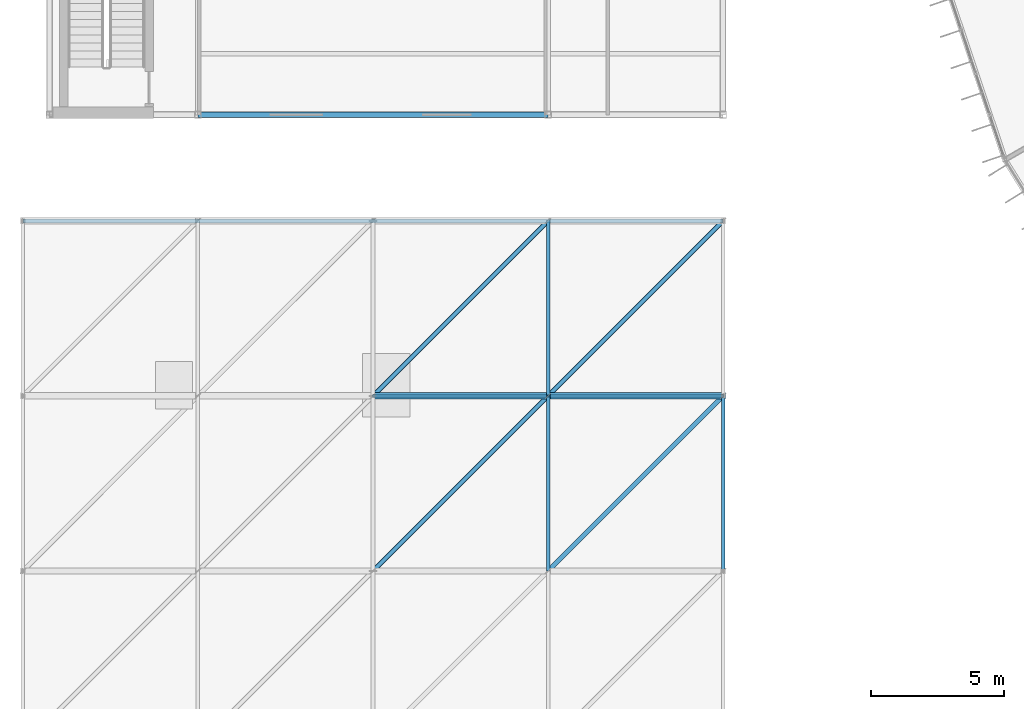
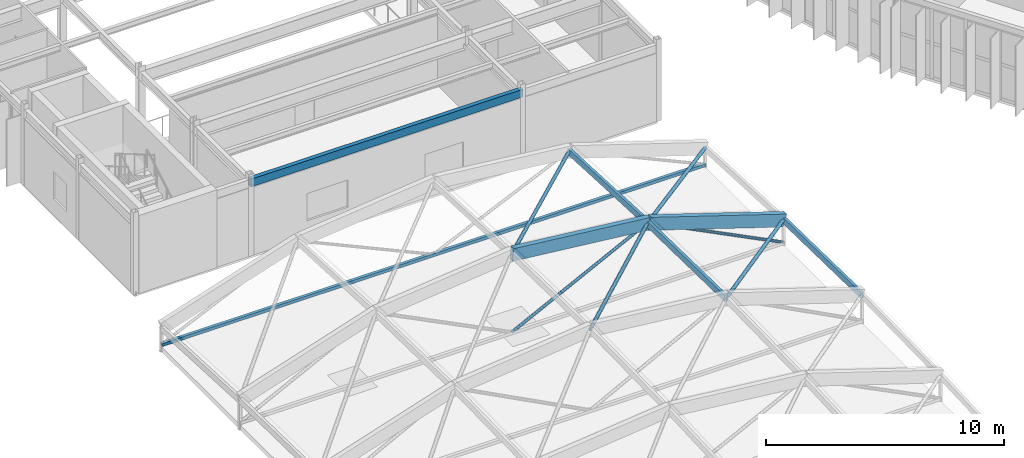
# One storey, part 29 of 157: 12 members, 1 beam.
"""IFC4 building model written with IfcOpenShell, lengths in metres."""

from ifc_helpers import new_model, si_unit, direction, frame, origin, origin_2d, place, context, subcontext, project, spatial, rectangle, hollow_rectangle, hollow_circle, extrude, material, material_profile, profile_set, type_object, element, save


model = new_model("IFC4")

# Units and contexts
model_context = context("Model", 3, precision=1e-05, world=origin(), true_north=direction((0.0, 1.0)))
body_context = subcontext(model_context, "Body", "Model", "MODEL_VIEW")
ifc_project = project(units=[si_unit("LENGTHUNIT", "METRE"), si_unit("AREAUNIT", "SQUARE_METRE"), si_unit("VOLUMEUNIT", "CUBIC_METRE"), si_unit("PLANEANGLEUNIT", "RADIAN"), si_unit("MASSUNIT", "GRAM", prefix="KILO")], contexts=[model_context])

# Site, building, storey
site_placement = place(None, origin())
site = spatial("IfcSite", under=ifc_project, at=site_placement, CompositionType="ELEMENT")
building_placement = place(site_placement, origin())
building = spatial("IfcBuilding", under=site, at=building_placement, Name="Karori Crest Natural Sciences Institute", CompositionType="ELEMENT")
storey_placement = place(building_placement, frame((0.0, 0.0, 13.300048828125)))
storey = spatial("IfcBuildingStorey", under=building, at=storey_placement, Name="L03", CompositionType="ELEMENT", Elevation=13.300048828125)

# Beam
ifc_material_1 = material(Name="Hollow structural steel AS/NZS 1163 Grade C350", Category="steel")
ifc_material_profile_1 = material_profile(ifc_material_1, hollow_rectangle(XDim=0.199951171875, YDim=0.39990234375, WallThickness=0.012451171875, at=origin_2d()), Name="RHS400x200x12.5")
ifc_profile_set_1 = profile_set([ifc_material_profile_1], Name="Hollow structural steel AS/NZS 1163 Grade C350")
beam_type = type_object("IfcBeamType", Name="BT-14", PredefinedType="SPANDREL", material=ifc_profile_set_1)
beam_placement = place(storey_placement, frame((7.39990234375, 31.199951171875, 3.719970703125), z_axis=(1.0, 0.0, 0.0), x_axis=(0.0, 1.0, 0.0)))
element("IfcBeam", 1, at=beam_placement, inside=storey, type_object=beam_type, Name="Beam B-1141", PredefinedType="SPANDREL", context=body_context, shape_type="SweptSolid", body=[
    extrude(hollow_rectangle(XDim=0.199951171875, YDim=0.39990234375, WallThickness=0.012451171875, at=origin_2d()), origin(), (0.0, 0.0, 1.0), 13.2001953125),
])

# Members
ifc_material_profile_2 = material_profile(ifc_material_1, hollow_circle(Radius=0.084228515625, WallThickness=0.007080078125, at=origin_2d()), Name="CHS168.3x7.1")
ifc_profile_set_2 = profile_set([ifc_material_profile_2], Name="Hollow structural steel AS/NZS 1163 Grade C350")
member_type_1 = type_object("IfcMemberType", Name="MT-03", PredefinedType="BRACE", material=ifc_profile_set_2)
member_1_placement = place(storey_placement, frame((14.0, 14.0, 4.27001953125), z_axis=(0.704230381409, 0.704230381409, -0.090106269486), x_axis=(-0.707106781187, 0.707106781187, 0.0)))
element("IfcMember", 2, at=member_1_placement, inside=storey, type_object=member_type_1, Name="Diagonal Brace M-0314", PredefinedType="BRACE", context=body_context, shape_type="SweptSolid", body=[
    extrude(hollow_circle(Radius=0.084228515625, WallThickness=0.007080078125, at=origin_2d()), origin(), (0.0, 0.0, 1.0), 9.3720703125),
])
member_2_placement = place(storey_placement, frame((20.60009765625, 14.0, 3.557373046875), z_axis=(0.687078476007, 0.687103892293, -0.236244384067), x_axis=(-0.707119859409, 0.707093702722, 0.0)))
element("IfcMember", 3, at=member_2_placement, inside=storey, type_object=member_type_1, Name="Diagonal Brace M-0319", PredefinedType="BRACE", context=body_context, shape_type="SweptSolid", body=[
    extrude(hollow_circle(Radius=0.084228515625, WallThickness=0.007080078125, at=origin_2d()), origin(), (0.0, 0.0, 1.0), 9.605712890625),
])
member_3_placement = place(storey_placement, frame((14.0, 20.60009765625, 4.13818359375), z_axis=(0.702847039088, 0.702821040455, -0.109766227677), x_axis=(-0.707093702722, 0.707119859409, 0.0)))
element("IfcMember", 4, at=member_3_placement, inside=storey, type_object=member_type_1, Name="Diagonal Brace M-0334", PredefinedType="BRACE", context=body_context, shape_type="SweptSolid", body=[
    extrude(hollow_circle(Radius=0.084228515625, WallThickness=0.007080078125, at=origin_2d()), origin(), (0.0, 0.0, 1.0), 9.390625),
])
member_4_placement = place(storey_placement, frame((20.60009765625, 20.60009765625, 3.425537109375), z_axis=(0.683836587594, 0.683836587594, -0.254430821515), x_axis=(-0.707106781187, 0.707106781187, 0.0)))
element("IfcMember", 5, at=member_4_placement, inside=storey, type_object=member_type_1, Name="Diagonal Brace M-0339", PredefinedType="BRACE", context=body_context, shape_type="SweptSolid", body=[
    extrude(hollow_circle(Radius=0.084228515625, WallThickness=0.007080078125, at=origin_2d()), origin(), (0.0, 0.0, 1.0), 9.651123046875),
])
ifc_material_2 = material(Name="Glulam GL12", Category="wood")
ifc_material_profile_3 = material_profile(ifc_material_2, rectangle(XDim=0.135009765625, YDim=0.31494140625, at=origin_2d()), Name="GL135x315")
ifc_profile_set_3 = profile_set([ifc_material_profile_3], Name="Glulam GL12")
member_type_2 = type_object("IfcMemberType", Name="MT-12", PredefinedType="PURLIN", material=ifc_profile_set_3)
for number, where, z_axis, x_axis, name in (
    (6, (20.60009765625, 14.0, 3.557373046875), (0.0, 0.999800562433, -0.019970862755), (-1.0, 0.0, 0.0), "Member M-0317"),
    (7, (27.199951171875, 14.0, 1.419921875), (0.0, 0.999800562433, -0.019970862755), (-1.0, 0.0, 0.0), "Member M-0318"),
):
    element("IfcMember", number, at=place(storey_placement, frame(where, z_axis=z_axis, x_axis=x_axis)), inside=storey, type_object=member_type_2, Name=name, PredefinedType="PURLIN", context=body_context, shape_type="SweptSolid", body=[
        extrude(rectangle(XDim=0.135009765625, YDim=0.31494140625, at=origin_2d()), origin(), (0.0, 0.0, 1.0), 6.601318359375),
    ])
member_5_placement = place(storey_placement, frame((20.60009765625, 20.60009765625, 3.425537109375), z_axis=(0.0, 0.998840383429, -0.048144453801), x_axis=(-1.0, 0.0, 0.0)))
element("IfcMember", 8, at=member_5_placement, inside=storey, type_object=member_type_2, Name="Member M-0337", PredefinedType="PURLIN", context=body_context, shape_type="SweptSolid", body=[
    extrude(rectangle(XDim=0.135009765625, YDim=0.31494140625, at=origin_2d()), origin(), (0.0, 0.0, 1.0), 6.607421875),
])
ifc_material_profile_4 = material_profile(ifc_material_1, hollow_rectangle(XDim=0.14990234375, YDim=0.14990234375, WallThickness=0.009033203125, at=origin_2d()), Name="SHS150x150x9")
ifc_profile_set_4 = profile_set([ifc_material_profile_4], Name="Hollow structural steel AS/NZS 1163 Grade C350")
member_type_3 = type_object("IfcMemberType", Name="MT-13-IL", PredefinedType="CHORD", material=ifc_profile_set_4)
member_6_placement = place(storey_placement, frame((0.800048828125, 27.199951171875, 0.119873046875), z_axis=(1.0, 0.0, 0.0), x_axis=(0.0, 1.0, 0.0)))
element("IfcMember", 9, at=member_6_placement, inside=storey, type_object=member_type_3, Name="Member M-0342", PredefinedType="CHORD", context=body_context, shape_type="SweptSolid", body=[
    extrude(hollow_rectangle(XDim=0.14990234375, YDim=0.14990234375, WallThickness=0.009033203125, at=origin_2d()), origin(), (0.0, 0.0, 1.0), 26.39990234375),
])
ifc_material_profile_5 = material_profile(ifc_material_2, rectangle(XDim=0.239990234375, YDim=0.6298828125, at=origin_2d()), Name="GL240x630")
ifc_profile_set_5 = profile_set([ifc_material_profile_5], Name="Glulam GL12")
member_type_4 = type_object("IfcMemberType", Name="MT-15", PredefinedType="USERDEFINED", material=ifc_profile_set_5)
member_7_placement = place(storey_placement, frame((14.0, 20.60009765625, 4.158203125), z_axis=(0.994221165478, 0.0, -0.107351171933), x_axis=(0.0, 1.0, 0.0)))
element("IfcMember", 10, at=member_7_placement, inside=storey, type_object=member_type_4, Name="Member M-0331", ObjectType="ARCH_SEGMENT", PredefinedType="USERDEFINED", context=body_context, shape_type="SweptSolid", body=[
    extrude(rectangle(XDim=0.239990234375, YDim=0.6298828125, at=origin_2d()), origin(), (0.0, 0.0, 1.0), 6.638427734375),
])
member_8_placement = place(storey_placement, frame((20.60009765625, 20.60009765625, 3.445556640625), z_axis=(0.951351409962, 0.0, -0.308107927134), x_axis=(0.0, 1.0, 0.0)))
element("IfcMember", 11, at=member_8_placement, inside=storey, type_object=member_type_4, Name="Member M-0335", ObjectType="ARCH_SEGMENT", PredefinedType="USERDEFINED", context=body_context, shape_type="SweptSolid", body=[
    extrude(rectangle(XDim=0.239990234375, YDim=0.6298828125, at=origin_2d()), origin(), (0.0, 0.0, 1.0), 6.937255859375),
])
ifc_material_profile_6 = material_profile(ifc_material_1, hollow_circle(Radius=0.06982421875, WallThickness=0.00634765625, at=origin_2d()), Name="CHS139.7x6.4")
ifc_profile_set_6 = profile_set([ifc_material_profile_6], Name="Hollow structural steel AS/NZS 1163 Grade C350")
member_type_5 = type_object("IfcMemberType", Name="MT-18-IL", PredefinedType="STRUT", material=ifc_profile_set_6)
member_9_placement = place(storey_placement, frame((14.0, 20.60009765625, 0.119873046875), z_axis=(0.893035467548, 0.0, 0.44998628168), x_axis=(0.0, 1.0, 0.0)))
element("IfcMember", 12, at=member_9_placement, inside=storey, type_object=member_type_5, Name="Member M-0332", PredefinedType="STRUT", context=body_context, shape_type="SweptSolid", body=[
    extrude(hollow_circle(Radius=0.06982421875, WallThickness=0.00634765625, at=origin_2d()), origin(), (0.0, 0.0, 1.0), 7.390625),
])
member_10_placement = place(storey_placement, frame((27.199951171875, 20.60009765625, 0.119873046875), z_axis=(-0.893028778318, 0.0, 0.449999556773), x_axis=(0.0, -1.0, 0.0)))
element("IfcMember", 13, at=member_10_placement, inside=storey, type_object=member_type_5, Name="Member M-0336", PredefinedType="STRUT", context=body_context, shape_type="SweptSolid", body=[
    extrude(hollow_circle(Radius=0.06982421875, WallThickness=0.00634765625, at=origin_2d()), origin(), (0.0, 0.0, 1.0), 7.390380859375),
])

save(model, "model.ifc")
